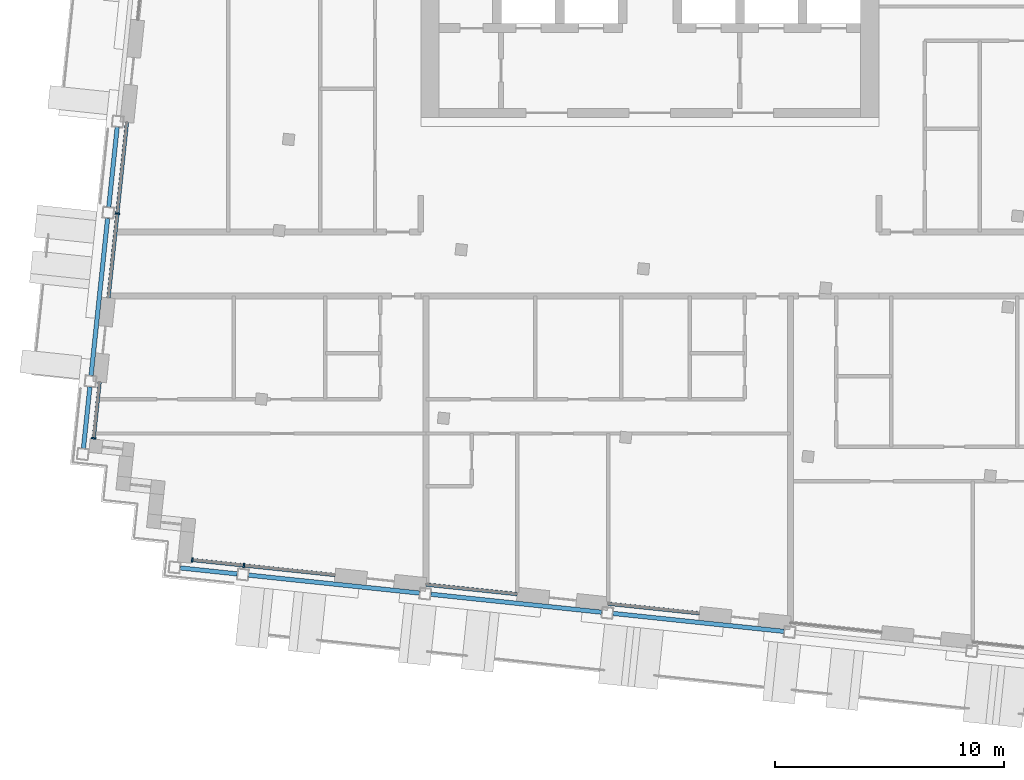
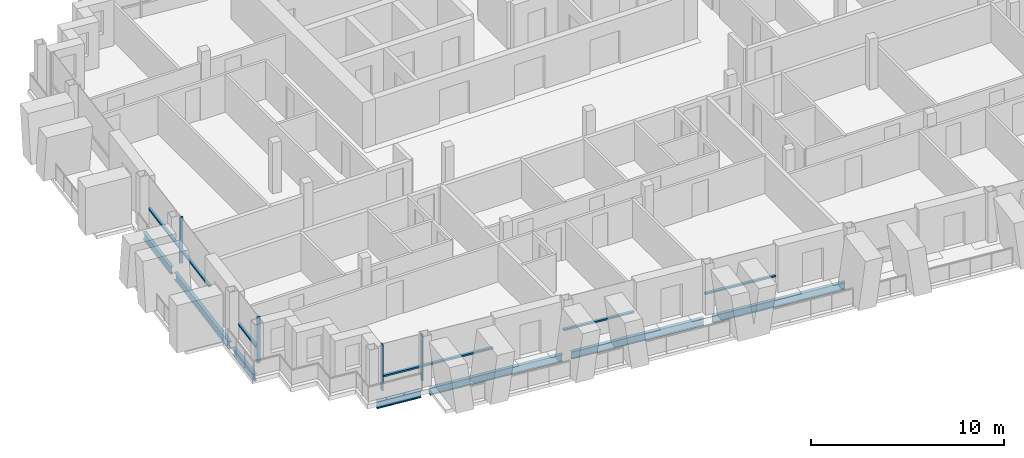
# One storey, part 2 of 16: 11 members, 7 beams, 5 elements without a shape of their own.
"""IFC4 building model written with IfcOpenShell, lengths in metres."""

import ifcopenshell
import ifcopenshell.guid

model = None  # the IFC model being written
_history = None  # IfcOwnerHistory: only IFC2X3 demands one
_inside = {}  # id of a spatial element -> (the spatial element, [elements in it])
_under = {}  # id of a project, library or spatial element -> (it, [spatial elements below it])
_declared = {}  # id of a project -> (the project, [libraries it declares])
_typed = {}  # id of a type object -> (the type object, [elements of that type])
_made_of = {}  # id of a material, layer set ... -> (it, [elements and type objects made of it])


def new_model(schema):
    """Start an empty IFC model of exactly this schema.

    Asked for "IFC4X3", IfcOpenShell would pick the latest addendum, in which some entities
    have other attributes; the version numbers below select the first issue.
    IFC2X3 requires an IfcOwnerHistory on every rooted entity: one is made here for all.
    """
    global model, _history
    if schema == "IFC4X3":
        model = ifcopenshell.file(schema_version=(4, 3, 0, 0))
    else:
        model = ifcopenshell.file(schema=schema)
    _inside.clear()
    _under.clear()
    _declared.clear()
    _typed.clear()
    _made_of.clear()
    _history = None
    if model.schema == "IFC2X3":
        org = make("IfcOrganization", Name="unknown")
        user = make(
            "IfcPersonAndOrganization",
            ThePerson=make("IfcPerson", FamilyName="unknown"),
            TheOrganization=org,
        )
        app = make(
            "IfcApplication",
            ApplicationDeveloper=org,
            Version="unknown",
            ApplicationFullName="unknown",
            ApplicationIdentifier="unknown",
        )
        _history = make(
            "IfcOwnerHistory",
            OwningUser=user,
            OwningApplication=app,
            ChangeAction="ADDED",
            CreationDate=0,
        )
    return model


def make(cls, **values):
    """One entity of the class cls with the attributes given. An attribute that is None is left unset."""
    return model.create_entity(
        cls, **{name: value for name, value in values.items() if value is not None}
    )


def rooted(cls, **values):
    """An entity with a GlobalId (a new one), such as an element, a storey or a relation."""
    return make(cls, GlobalId=ifcopenshell.guid.new(), OwnerHistory=_history, **values)


def si_unit(unit_type, name, prefix=None):
    """IfcSIUnit, for example si_unit("LENGTHUNIT", "METRE", prefix="MILLI")."""
    return make("IfcSIUnit", UnitType=unit_type, Prefix=prefix, Name=name)


def assignment(units):
    """IfcUnitAssignment: the units of a project."""
    return None if units is None else make("IfcUnitAssignment", Units=units)


def point(xyz):
    """IfcCartesianPoint."""
    return None if xyz is None else make("IfcCartesianPoint", Coordinates=xyz)


def direction(xyz):
    """IfcDirection."""
    return None if xyz is None else make("IfcDirection", DirectionRatios=xyz)


def frame(location, z_axis=None, x_axis=None):
    """IfcAxis2Placement3D, a coordinate frame: its origin and axes. An axis left out is left unset."""
    return make(
        "IfcAxis2Placement3D",
        Location=point(location),
        Axis=direction(z_axis),
        RefDirection=direction(x_axis),
    )


def frame_2d(location, x_axis=None):
    """IfcAxis2Placement2D, a coordinate frame in the plane: its origin and x axis."""
    return make(
        "IfcAxis2Placement2D", Location=point(location), RefDirection=direction(x_axis)
    )


def origin():
    """The frame at (0, 0, 0) with its axes left unset."""
    return frame((0.0, 0.0, 0.0))


def origin_2d():
    """The frame at (0, 0) in the plane with its x axis left unset."""
    return frame_2d((0.0, 0.0))


def place(relative_to, where):
    """IfcLocalPlacement: puts the frame where relative to a parent placement (None: the world)."""
    return make(
        "IfcLocalPlacement", PlacementRelTo=relative_to, RelativePlacement=where
    )


def context(
    kind, dimensions, precision=None, world=None, true_north=None, identifier=None
):
    """IfcGeometricRepresentationContext, for example the 3D "Model" context."""
    return make(
        "IfcGeometricRepresentationContext",
        ContextIdentifier=identifier,
        ContextType=kind,
        CoordinateSpaceDimension=dimensions,
        Precision=precision,
        WorldCoordinateSystem=world,
        TrueNorth=true_north,
    )


def subcontext(parent, identifier, kind, view, scale=None):
    """IfcGeometricRepresentationSubContext, for example "Body" below "Model"."""
    return make(
        "IfcGeometricRepresentationSubContext",
        ContextIdentifier=identifier,
        ContextType=kind,
        ParentContext=parent,
        TargetScale=scale,
        TargetView=view,
    )


def project(units=None, contexts=None):
    """IfcProject with its units and contexts."""
    return rooted(
        "IfcProject",
        Name="project",
        RepresentationContexts=contexts,
        UnitsInContext=assignment(units),
    )


def spatial(cls, under=None, at=None, **own):
    """A site, building, storey or space (cls), placed at a placement, below another one or the project."""
    s = rooted(cls, ObjectPlacement=at, **own)
    if under is not None:
        _under.setdefault(under.id(), (under, []))[1].append(s)
    return s


def profile(cls, at=None, kind="AREA", **sizes):
    """A parametric profile (cls). Its sizes go by their IFC names, for example OverallWidth=200.0."""
    return make(cls, ProfileType=kind, Position=at, **sizes)


def rectangle(**sizes):
    """IfcRectangleProfileDef."""
    return profile("IfcRectangleProfileDef", **sizes)


def i_section(**sizes):
    """IfcIShapeProfileDef."""
    return profile("IfcIShapeProfileDef", **sizes)


def extrude(swept, where, along, depth):
    """IfcExtrudedAreaSolid: the profile swept, set in the frame where, extruded along a direction by depth."""
    return make(
        "IfcExtrudedAreaSolid",
        SweptArea=swept,
        Position=where,
        ExtrudedDirection=direction(along),
        Depth=depth,
    )


def shape(context_of_items, identifier, shape_type, items):
    """IfcShapeRepresentation: the items that make up one representation, for example the "Body"."""
    return make(
        "IfcShapeRepresentation",
        ContextOfItems=context_of_items,
        RepresentationIdentifier=identifier,
        RepresentationType=shape_type,
        Items=items,
    )


def material(Name=None, Category=None):
    """IfcMaterial."""
    return make("IfcMaterial", Name=Name, Category=Category)


def material_profile(
    of_material, cross_section, Name=None, Category=None, Priority=None
):
    """IfcMaterialProfile: a cross section and its material."""
    return make(
        "IfcMaterialProfile",
        Name=Name,
        Material=of_material,
        Profile=cross_section,
        Priority=Priority,
        Category=Category,
    )


def profile_set(profiles, Name=None, composite=None):
    """IfcMaterialProfileSet."""
    return make(
        "IfcMaterialProfileSet",
        Name=Name,
        MaterialProfiles=profiles,
        CompositeProfile=composite,
    )


def made_of(thing, what):
    """Note that an element or type object is made of a material, layer set ...; save() writes the relation."""
    if what is not None:
        _made_of.setdefault(what.id(), (what, []))[1].append(thing)
    return thing


def type_object(cls, material=None, **own):
    """A type object (cls), such as IfcWallType, which elements share."""
    return made_of(rooted(cls, **own), material)


def element(
    cls,
    number,
    at=None,
    inside=None,
    cuts=None,
    type_object=None,
    material=None,
    context=None,
    identifier="Body",
    shape_type=None,
    held_by="IfcProductDefinitionShape",
    body=None,
    shapes=None,
    **own,
):
    """One element of the class cls, such as IfcWall. Its Tag is "e" and its number.

    at: its placement. inside: the storey or other place that contains it. cuts: it is an
    opening in that element (IfcRelVoidsElement). A single representation is given by context,
    identifier, shape_type and body (its items); several are given by shapes. held_by: the class
    of the entity that holds the representations. save() writes the other relations.
    """
    e = rooted(cls, Tag="e%d" % number, ObjectPlacement=at, **own)
    if body is not None:
        shapes = [shape(context, identifier, shape_type, body)]
    if shapes is not None:
        e.Representation = make(held_by, Representations=shapes)
    if inside is not None:
        _inside.setdefault(inside.id(), (inside, []))[1].append(e)
    if cuts is not None:
        rooted(
            "IfcRelVoidsElement", RelatingBuildingElement=cuts, RelatedOpeningElement=e
        )
    if type_object is not None:
        _typed.setdefault(type_object.id(), (type_object, []))[1].append(e)
    return made_of(e, material)


def aggregate(whole, parts):
    """IfcRelAggregates: a whole, such as a stair, and the parts it consists of."""
    return rooted("IfcRelAggregates", RelatingObject=whole, RelatedObjects=parts)


def save(model, path):
    """Write the relations noted so far, then the file.

    IfcRelAggregates (storeys below a building ...), IfcRelContainedInSpatialStructure (elements
    in a storey), IfcRelDefinesByType, IfcRelAssociatesMaterial and IfcRelDeclares: one each for
    every whole, place, type object, material and project.
    """
    for whole, parts in _under.values():
        aggregate(whole, parts)
    for where, things in _inside.values():
        rooted(
            "IfcRelContainedInSpatialStructure",
            RelatedElements=things,
            RelatingStructure=where,
        )
    for kind, things in _typed.values():
        rooted("IfcRelDefinesByType", RelatedObjects=things, RelatingType=kind)
    for what, things in _made_of.values():
        rooted("IfcRelAssociatesMaterial", RelatedObjects=things, RelatingMaterial=what)
    for by, libraries in _declared.values():
        rooted("IfcRelDeclares", RelatingContext=by, RelatedDefinitions=libraries)
    model.write(path)


model = new_model("IFC4")

# Units and contexts
model_context = context("Model", 3, precision=1e-05, world=origin(), true_north=direction((0.0, 1.0)))
body_context = subcontext(model_context, "Body", "Model", "MODEL_VIEW")
ifc_project = project(units=[si_unit("LENGTHUNIT", "METRE"), si_unit("AREAUNIT", "SQUARE_METRE"), si_unit("VOLUMEUNIT", "CUBIC_METRE"), si_unit("PLANEANGLEUNIT", "RADIAN"), si_unit("MASSUNIT", "GRAM", prefix="KILO")], contexts=[model_context])

# Site, building, storey
site_placement = place(None, origin())
site = spatial("IfcSite", under=ifc_project, at=site_placement, CompositionType="ELEMENT")
building_placement = place(site_placement, origin())
building = spatial("IfcBuilding", under=site, at=building_placement, Name="Vidyagriha Tower", CompositionType="ELEMENT")
storey_placement = place(building_placement, frame((0.0, 0.0, 272.300048828125)))
storey = spatial("IfcBuildingStorey", under=building, at=storey_placement, Name="L71", CompositionType="ELEMENT", Elevation=272.300048828125)

# Beams
ifc_material_1 = material(Name="Steel ASTM A992 Grade 50", Category="steel")
ifc_material_profile_1 = material_profile(ifc_material_1, i_section(OverallWidth=0.19189453125, OverallDepth=0.46240234375, WebThickness=0.010498046875, FlangeThickness=0.017578125, at=origin_2d()), Name="W18X60")
ifc_profile_set_1 = profile_set([ifc_material_profile_1], Name="Steel ASTM A992 Grade 50")
beam_type = type_object("IfcBeamType", Name="Edge beam W18X60", PredefinedType="SPANDREL", material=ifc_profile_set_1)
beam_1_placement = place(storey_placement, frame((-20.50341796875, -13.268798828125, -0.51123046875), z_axis=(0.994525767953, -0.104491611519, 0.0), x_axis=(0.104491611519, 0.994525767953, 0.0)))
element("IfcBeam", 1, at=beam_1_placement, inside=storey, type_object=beam_type, Name="st-beam-L71-S01", PredefinedType="SPANDREL", context=body_context, shape_type="SweptSolid", body=[
    extrude(i_section(OverallWidth=0.19189453125, OverallDepth=0.46240234375, WebThickness=0.010498046875, FlangeThickness=0.017578125, at=origin_2d()), origin(), (0.0, 0.0, 1.0), 2.5),
])
for number, where, z_axis, x_axis, name in (
    (2, (-17.519775390625, -13.582275390625, -0.51123046875), (0.994522384662, -0.104523807841, 0.0), (0.104523807841, 0.994522384662, 0.0), "st-beam-L71-S02"),
    (3, (-9.563720703125, -14.418701171875, -0.51123046875), (0.994525767953, -0.104491611519, 0.0), (0.104491611519, 0.994525767953, 0.0), "st-beam-L71-S03"),
    (4, (-1.607421875, -15.2548828125, -0.51123046875), (0.994522384662, -0.104523807841, 0.0), (0.104523807841, 0.994522384662, 0.0), "st-beam-L71-S04"),
):
    element("IfcBeam", number, at=place(storey_placement, frame(where, z_axis=z_axis, x_axis=x_axis)), inside=storey, type_object=beam_type, Name=name, PredefinedType="SPANDREL", context=body_context, shape_type="SweptSolid", body=[
        extrude(i_section(OverallWidth=0.19189453125, OverallDepth=0.46240234375, WebThickness=0.010498046875, FlangeThickness=0.017578125, at=origin_2d()), origin(), (0.0, 0.0, 1.0), 7.5),
    ])
beam_2_placement = place(storey_placement, frame((-24.730712890625, -8.04833984375, -0.51123046875), z_axis=(0.104524753323, 0.994522285292, 0.0), x_axis=(-0.994522285292, 0.104524753323, 0.0)))
element("IfcBeam", 5, at=beam_2_placement, inside=storey, type_object=beam_type, Name="st-beam-L71-W08", PredefinedType="SPANDREL", context=body_context, shape_type="SweptSolid", body=[
    extrude(i_section(OverallWidth=0.19189453125, OverallDepth=0.46240234375, WebThickness=0.010498046875, FlangeThickness=0.017578125, at=origin_2d()), origin(), (0.0, 0.0, 1.0), 2.7001953125),
])
beam_3_placement = place(storey_placement, frame((-24.396484375, -4.86572265625, -0.51123046875), z_axis=(0.104557694553, 0.994518822602, 0.0), x_axis=(-0.994518822602, 0.104557694553, 0.0)))
element("IfcBeam", 6, at=beam_3_placement, inside=storey, type_object=beam_type, Name="st-beam-L71-W09", PredefinedType="SPANDREL", context=body_context, shape_type="SweptSolid", body=[
    extrude(i_section(OverallWidth=0.19189453125, OverallDepth=0.46240234375, WebThickness=0.010498046875, FlangeThickness=0.017578125, at=origin_2d()), origin(), (0.0, 0.0, 1.0), 6.89990234375),
])
beam_4_placement = place(storey_placement, frame((-23.622802734375, 2.49365234375, -0.51123046875), z_axis=(0.104488712073, 0.994526072584, 0.0), x_axis=(-0.994526072584, 0.104488712073, 0.0)))
element("IfcBeam", 7, at=beam_4_placement, inside=storey, type_object=beam_type, Name="st-beam-L71-W10", PredefinedType="SPANDREL", context=body_context, shape_type="SweptSolid", body=[
    extrude(i_section(OverallWidth=0.19189453125, OverallDepth=0.46240234375, WebThickness=0.010498046875, FlangeThickness=0.017578125, at=origin_2d()), origin(), (0.0, 0.0, 1.0), 3.5),
])

# Curtain wall, member
ifc_material_2 = material(Name="Aluminium and glass curtain wall", Category="aluminium")
curtain_wall_type = type_object("IfcCurtainWallType", Name="Dwelling skin unitised curtain wall", PredefinedType="USERDEFINED", material=ifc_material_2)
curtain_wall_1_placement = place(storey_placement, origin())
curtain_wall_1 = element("IfcCurtainWall", 8, at=curtain_wall_1_placement, inside=storey, type_object=curtain_wall_type, Name="CW1 dwelling skin", ObjectType="UNITISED", PredefinedType="USERDEFINED")
ifc_material_3 = material(Name="Aluminium black anodised", Category="aluminium")
ifc_material_profile_2 = material_profile(ifc_material_3, rectangle(XDim=0.199951171875, YDim=0.070068359375, at=origin_2d()), Name="Mullion 70x200 black aluminium")
ifc_profile_set_2 = profile_set([ifc_material_profile_2], Name="Aluminium black anodised")
member_type_1 = type_object("IfcMemberType", Name="Mullion 70x200 black aluminium", PredefinedType="MULLION", material=ifc_profile_set_2)
member_1_placement = place(storey_placement, frame((-23.251220703125, 2.203369140625, 0.0), z_axis=(0.0, 0.0, 1.0), x_axis=(0.994521452706, -0.10453267483, 0.0)))
member_1 = element("IfcMember", 9, at=member_1_placement, type_object=member_type_1, Name="CW1 mullion 2", PredefinedType="MULLION", context=body_context, shape_type="SweptSolid", body=[
    extrude(rectangle(XDim=0.199951171875, YDim=0.070068359375, at=origin_2d()), origin(), (0.0, 0.0, 1.0), 2.919921875),
])

curtain_wall_2_placement = place(storey_placement, origin())
curtain_wall_2 = element("IfcCurtainWall", 10, at=curtain_wall_2_placement, inside=storey, type_object=curtain_wall_type, Name="CW1 dwelling skin", ObjectType="UNITISED", PredefinedType="USERDEFINED")
member_2_placement = place(storey_placement, frame((-24.2822265625, -7.60791015625, 0.0), z_axis=(0.0, 0.0, 1.0), x_axis=(0.994523191389, -0.10451613172, 0.0)))
member_2 = element("IfcMember", 11, at=member_2_placement, type_object=member_type_1, Name="CW1 mullion 2", PredefinedType="MULLION", context=body_context, shape_type="SweptSolid", body=[
    extrude(rectangle(XDim=0.199951171875, YDim=0.070068359375, at=origin_2d()), origin(), (0.0, 0.0, 1.0), 2.919921875),
])

# Curtain wall, members
curtain_wall_3_placement = place(storey_placement, origin())
curtain_wall_3 = element("IfcCurtainWall", 12, at=curtain_wall_3_placement, inside=storey, type_object=curtain_wall_type, Name="CW1 dwelling skin", ObjectType="UNITISED", PredefinedType="USERDEFINED")
member_3_placement = place(storey_placement, frame((-19.979248046875, -12.921630859375, 0.0), z_axis=(0.0, 0.0, 1.0), x_axis=(0.104523661385, 0.994522400055, 0.0)))
member_3 = element("IfcMember", 13, at=member_3_placement, type_object=member_type_1, Name="CW1 mullion 1", PredefinedType="MULLION", context=body_context, shape_type="SweptSolid", body=[
    extrude(rectangle(XDim=0.199951171875, YDim=0.070068359375, at=origin_2d()), origin(), (0.0, 0.0, 1.0), 2.919921875),
])
member_4_placement = place(storey_placement, frame((-17.7265625, -13.158447265625, 0.0), z_axis=(0.0, 0.0, 1.0), x_axis=(0.104523661385, 0.994522400055, 0.0)))
member_4 = element("IfcMember", 14, at=member_4_placement, type_object=member_type_1, Name="CW1 mullion 2", PredefinedType="MULLION", context=body_context, shape_type="SweptSolid", body=[
    extrude(rectangle(XDim=0.199951171875, YDim=0.070068359375, at=origin_2d()), origin(), (0.0, 0.0, 1.0), 2.919921875),
])

# Member
ifc_material_4 = material(Name="Aluminium black anodised", Category="aluminium")
ifc_material_profile_3 = material_profile(ifc_material_4, rectangle(XDim=0.159912109375, YDim=0.10009765625, at=origin_2d()), Name="Transom 100x160 black aluminium")
ifc_profile_set_3 = profile_set([ifc_material_profile_3], Name="Aluminium black anodised")
member_type_2 = type_object("IfcMemberType", Name="Transom 100x160 black aluminium", PredefinedType="USERDEFINED", material=ifc_profile_set_3)
member_5_placement = place(storey_placement, frame((-22.8330078125, 6.181396484375, 0.89990234375), z_axis=(-0.104550167438, -0.994519613929, 0.0), x_axis=(0.994519613929, -0.104550167438, 0.0)))
member_5 = element("IfcMember", 15, at=member_5_placement, type_object=member_type_2, Name="CW1 transom 1.1", ObjectType="TRANSOM", PredefinedType="USERDEFINED", context=body_context, shape_type="SweptSolid", body=[
    extrude(rectangle(XDim=0.159912109375, YDim=0.10009765625, at=origin_2d()), origin(), (0.0, 0.0, 1.0), 3.965087890625),
])

member_6_placement = place(storey_placement, frame((-23.2548828125, 2.16845703125, 0.89990234375), z_axis=(-0.104521800028, -0.99452259568, 0.0), x_axis=(0.99452259568, -0.104521800028, 0.0)))
member_6 = element("IfcMember", 16, at=member_6_placement, type_object=member_type_2, Name="CW1 transom 2.1", ObjectType="TRANSOM", PredefinedType="USERDEFINED", context=body_context, shape_type="SweptSolid", body=[
    extrude(rectangle(XDim=0.159912109375, YDim=0.10009765625, at=origin_2d()), origin(), (0.0, 0.0, 1.0), 3.664794921875),
])

aggregate(curtain_wall_1, [member_1, member_5, member_6])

member_7_placement = place(storey_placement, frame((-24.024658203125, -5.15625, 0.89990234375), z_axis=(-0.104486049741, -0.994526352295, 0.0), x_axis=(0.994526352295, -0.104486049741, 0.0)))
member_7 = element("IfcMember", 17, at=member_7_placement, type_object=member_type_2, Name="CW1 transom 1.1", ObjectType="TRANSOM", PredefinedType="USERDEFINED", context=body_context, shape_type="SweptSolid", body=[
    extrude(rectangle(XDim=0.159912109375, YDim=0.10009765625, at=origin_2d()), origin(), (0.0, 0.0, 1.0), 2.429931640625),
])

aggregate(curtain_wall_2, [member_2, member_7])

member_8_placement = place(storey_placement, frame((-19.9443359375, -12.92529296875, 0.89990234375), z_axis=(0.994518853465, -0.104557400991, 0.0), x_axis=(0.104557400991, 0.994518853465, 0.0)))
member_8 = element("IfcMember", 18, at=member_8_placement, type_object=member_type_2, Name="CW1 transom 1.1", ObjectType="TRANSOM", PredefinedType="USERDEFINED", context=body_context, shape_type="SweptSolid", body=[
    extrude(rectangle(XDim=0.159912109375, YDim=0.10009765625, at=origin_2d()), origin(), (0.0, 0.0, 1.0), 2.19482421875),
])

member_9_placement = place(storey_placement, frame((-17.69189453125, -13.162109375, 0.89990234375), z_axis=(0.994526014245, -0.104489267346, 0.0), x_axis=(0.104489267346, 0.994526014245, 0.0)))
member_9 = element("IfcMember", 19, at=member_9_placement, type_object=member_type_2, Name="CW1 transom 2.1", ObjectType="TRANSOM", PredefinedType="USERDEFINED", context=body_context, shape_type="SweptSolid", body=[
    extrude(rectangle(XDim=0.159912109375, YDim=0.10009765625, at=origin_2d()), origin(), (0.0, 0.0, 1.0), 3.965087890625),
])

aggregate(curtain_wall_3, [member_3, member_4, member_8, member_9])

# Curtain wall, member
curtain_wall_4_placement = place(storey_placement, origin())
curtain_wall_4 = element("IfcCurtainWall", 20, at=curtain_wall_4_placement, inside=storey, type_object=curtain_wall_type, Name="CW1 dwelling skin", ObjectType="UNITISED", PredefinedType="USERDEFINED")
member_10_placement = place(storey_placement, frame((-9.7705078125, -13.99462890625, 0.89990234375), z_axis=(0.99451982373, -0.104548171712, 0.0), x_axis=(0.104548171712, 0.99451982373, 0.0)))
member_10 = element("IfcMember", 21, at=member_10_placement, type_object=member_type_2, Name="CW1 transom 1.1", ObjectType="TRANSOM", PredefinedType="USERDEFINED", context=body_context, shape_type="SweptSolid", body=[
    extrude(rectangle(XDim=0.159912109375, YDim=0.10009765625, at=origin_2d()), origin(), (0.0, 0.0, 1.0), 4.000244140625),
])
aggregate(curtain_wall_4, [member_10])

curtain_wall_5_placement = place(storey_placement, origin())
curtain_wall_5 = element("IfcCurtainWall", 22, at=curtain_wall_5_placement, inside=storey, type_object=curtain_wall_type, Name="CW1 dwelling skin", ObjectType="UNITISED", PredefinedType="USERDEFINED")
member_11_placement = place(storey_placement, frame((-1.814208984375, -14.830810546875, 0.89990234375), z_axis=(0.994519156568, -0.104554517933, 0.0), x_axis=(0.104554517933, 0.994519156568, 0.0)))
member_11 = element("IfcMember", 23, at=member_11_placement, type_object=member_type_2, Name="CW1 transom 1.1", ObjectType="TRANSOM", PredefinedType="USERDEFINED", context=body_context, shape_type="SweptSolid", body=[
    extrude(rectangle(XDim=0.159912109375, YDim=0.10009765625, at=origin_2d()), origin(), (0.0, 0.0, 1.0), 4.0),
])
aggregate(curtain_wall_5, [member_11])

save(model, "model.ifc")
